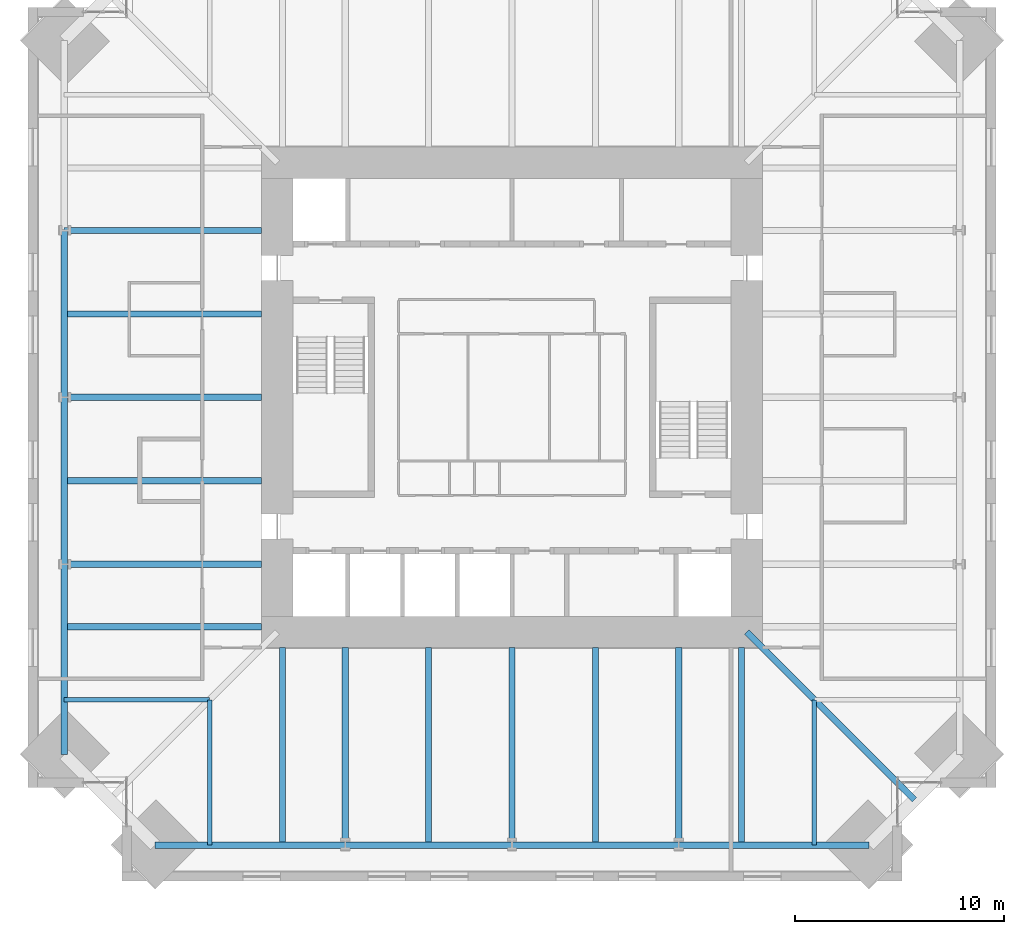
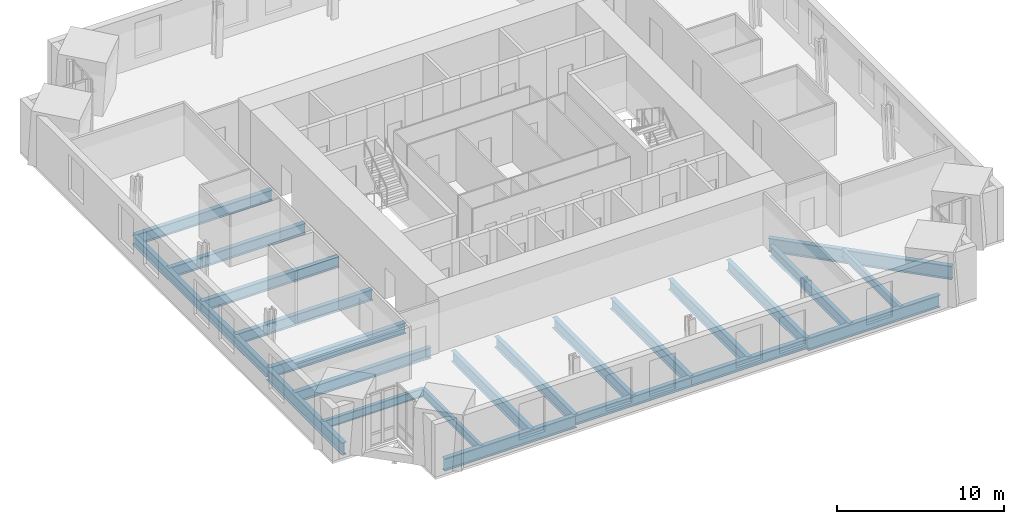
# One storey, part 3 of 15: 24 beams.
"""IFC4 building model written with IfcOpenShell, lengths in metres."""

from ifc_helpers import new_model, si_unit, direction, frame, origin, origin_2d, place, context, subcontext, project, spatial, i_section, extrude, material, material_profile, profile_set, type_object, element, save


model = new_model("IFC4")

# Units and contexts
model_context = context("Model", 3, precision=1e-05, world=origin(), true_north=direction((0.0, 1.0)))
body_context = subcontext(model_context, "Body", "Model", "MODEL_VIEW")
ifc_project = project(units=[si_unit("LENGTHUNIT", "METRE"), si_unit("AREAUNIT", "SQUARE_METRE"), si_unit("VOLUMEUNIT", "CUBIC_METRE"), si_unit("PLANEANGLEUNIT", "RADIAN"), si_unit("MASSUNIT", "GRAM", prefix="KILO")], contexts=[model_context])

# Site, building, storey
site_placement = place(None, origin())
site = spatial("IfcSite", under=ifc_project, at=site_placement, CompositionType="ELEMENT")
building_placement = place(site_placement, origin())
building = spatial("IfcBuilding", under=site, at=building_placement, Name="Peilmerk Tower", CompositionType="ELEMENT")
storey_placement = place(building_placement, frame((0.0, 0.0, 233.800048828125)))
storey = spatial("IfcBuildingStorey", under=building, at=storey_placement, Name="L51", CompositionType="ELEMENT", Elevation=233.800048828125)

# Beams
ifc_material = material(Name="Steel S355", Category="steel")
ifc_material_profile_1 = material_profile(ifc_material, i_section(OverallWidth=0.219970703125, OverallDepth=0.60009765625, WebThickness=0.011962890625, FlangeThickness=0.01904296875, at=origin_2d()), Name="IPE 600")
ifc_profile_set_1 = profile_set([ifc_material_profile_1], Name="Steel S355")
beam_type_1 = type_object("IfcBeamType", Name="B10 IPE 600 floor beam", PredefinedType="BEAM", material=ifc_profile_set_1)
for number, where, z_axis, x_axis, name in (
    (1, (14.5, -14.5, -0.469970703125), (0.0, -1.0, 0.0), (1.0, 0.0, 0.0), "Floor beam L51"),
    (2, (-14.5, -14.5, -0.469970703125), (0.0, -1.0, 0.0), (1.0, 0.0, 0.0), "Floor beam L51"),
    (3, (-14.5, -14.5, -0.469970703125), (-1.0, 0.0, 0.0), (0.0, -1.0, 0.0), "Floor beam L51"),
):
    element("IfcBeam", number, at=place(storey_placement, frame(where, z_axis=z_axis, x_axis=x_axis)), inside=storey, type_object=beam_type_1, Name=name, PredefinedType="BEAM", context=body_context, shape_type="SweptSolid", body=[
        extrude(i_section(OverallWidth=0.219970703125, OverallDepth=0.60009765625, WebThickness=0.011962890625, FlangeThickness=0.01904296875, at=origin_2d()), origin(), (0.0, 0.0, 1.0), 6.96923828125),
    ])
ifc_material_profile_2 = material_profile(ifc_material, i_section(OverallWidth=0.300048828125, OverallDepth=0.989990234375, WebThickness=0.0166015625, FlangeThickness=0.031005859375, at=origin_2d()), Name="HEA 1000")
ifc_profile_set_2 = profile_set([ifc_material_profile_2], Name="Steel S355")
beam_type_2 = type_object("IfcBeamType", Name="B14 HEA 1000 floor girder", PredefinedType="BEAM", material=ifc_profile_set_2)
beam_placement = place(storey_placement, frame((11.25, -11.25, -0.6650390625), z_axis=(0.707106781187, -0.707106781187, 0.0), x_axis=(0.707106781187, 0.707106781187, 0.0)))
element("IfcBeam", 4, at=beam_placement, inside=storey, type_object=beam_type_2, Name="Corner girder L51", PredefinedType="BEAM", context=body_context, shape_type="SweptSolid", body=[
    extrude(i_section(OverallWidth=0.300048828125, OverallDepth=0.989990234375, WebThickness=0.0166015625, FlangeThickness=0.031005859375, at=origin_2d()), origin(), (0.0, 0.0, 1.0), 11.37646484375),
])
ifc_material_profile_3 = material_profile(ifc_material, i_section(OverallWidth=0.302001953125, OverallDepth=0.909912109375, WebThickness=0.02099609375, FlangeThickness=0.0400390625, at=origin_2d()), Name="HEM 900")
ifc_profile_set_3 = profile_set([ifc_material_profile_3], Name="Steel S355")
beam_type_3 = type_object("IfcBeamType", Name="B2 HEM 900 edge beam", PredefinedType="SPANDREL", material=ifc_profile_set_3)
for number, where, z_axis, x_axis, name in (
    (5, (-17.119384765625, -21.46923828125, -0.625), (1.0, 0.0, 0.0), (0.0, 1.0, 0.0), "Edge beam L51"),
    (6, (8.0, -21.46923828125, -0.625), (1.0, 0.0, 0.0), (0.0, 1.0, 0.0), "Edge beam L51"),
    (7, (-21.46923828125, -8.0, -0.625), (0.0, -1.0, 0.0), (1.0, 0.0, 0.0), "Edge beam L51"),
):
    element("IfcBeam", number, at=place(storey_placement, frame(where, z_axis=z_axis, x_axis=x_axis)), inside=storey, type_object=beam_type_3, Name=name, PredefinedType="SPANDREL", context=body_context, shape_type="SweptSolid", body=[
        extrude(i_section(OverallWidth=0.302001953125, OverallDepth=0.909912109375, WebThickness=0.02099609375, FlangeThickness=0.0400390625, at=origin_2d()), origin(), (0.0, 0.0, 1.0), 9.119384765625),
    ])
ifc_material_profile_4 = material_profile(ifc_material, i_section(OverallWidth=0.300048828125, OverallDepth=0.7900390625, WebThickness=0.014892578125, FlangeThickness=0.028076171875, at=origin_2d()), Name="HEA 800")
ifc_profile_set_4 = profile_set([ifc_material_profile_4], Name="Steel S355")
beam_type_4 = type_object("IfcBeamType", Name="B3 HEA 800 floor beam", PredefinedType="BEAM", material=ifc_profile_set_4)
for number, where, z_axis, x_axis, name in (
    (8, (-11.0, -12.0, -0.56494140625), (0.0, -1.0, 0.0), (1.0, 0.0, 0.0), "Floor beam L51"),
    (9, (-8.0, -12.0, -0.56494140625), (0.0, -1.0, 0.0), (1.0, 0.0, 0.0), "Floor beam L51"),
    (10, (-4.0, -12.0, -0.56494140625), (0.0, -1.0, 0.0), (1.0, 0.0, 0.0), "Floor beam L51"),
    (11, (0.0, -12.0, -0.56494140625), (0.0, -1.0, 0.0), (1.0, 0.0, 0.0), "Floor beam L51"),
    (12, (4.0, -12.0, -0.56494140625), (0.0, -1.0, 0.0), (1.0, 0.0, 0.0), "Floor beam L51"),
    (13, (8.0, -12.0, -0.56494140625), (0.0, -1.0, 0.0), (1.0, 0.0, 0.0), "Floor beam L51"),
    (14, (11.0, -12.0, -0.56494140625), (0.0, -1.0, 0.0), (1.0, 0.0, 0.0), "Floor beam L51"),
    (15, (-12.0, 8.0, -0.56494140625), (-1.0, 0.0, 0.0), (0.0, -1.0, 0.0), "Floor beam L51"),
    (16, (-12.0, 4.0, -0.56494140625), (-1.0, 0.0, 0.0), (0.0, -1.0, 0.0), "Floor beam L51"),
    (17, (-12.0, 0.0, -0.56494140625), (-1.0, 0.0, 0.0), (0.0, -1.0, 0.0), "Floor beam L51"),
    (18, (-12.0, -4.0, -0.56494140625), (-1.0, 0.0, 0.0), (0.0, -1.0, 0.0), "Floor beam L51"),
    (19, (-12.0, -8.0, -0.56494140625), (-1.0, 0.0, 0.0), (0.0, -1.0, 0.0), "Floor beam L51"),
    (20, (-12.0, -11.0, -0.56494140625), (-1.0, 0.0, 0.0), (0.0, -1.0, 0.0), "Floor beam L51"),
):
    element("IfcBeam", number, at=place(storey_placement, frame(where, z_axis=z_axis, x_axis=x_axis)), inside=storey, type_object=beam_type_4, Name=name, PredefinedType="BEAM", context=body_context, shape_type="SweptSolid", body=[
        extrude(i_section(OverallWidth=0.300048828125, OverallDepth=0.7900390625, WebThickness=0.014892578125, FlangeThickness=0.028076171875, at=origin_2d()), origin(), (0.0, 0.0, 1.0), 9.46923828125),
    ])
ifc_material_profile_5 = material_profile(ifc_material, i_section(OverallWidth=0.303955078125, OverallDepth=0.716064453125, WebThickness=0.02099609375, FlangeThickness=0.0400390625, at=origin_2d()), Name="HEM 700")
ifc_profile_set_5 = profile_set([ifc_material_profile_5], Name="Steel S355")
beam_type_5 = type_object("IfcBeamType", Name="B30 HEM 700 edge beam", PredefinedType="SPANDREL", material=ifc_profile_set_5)
for number, where, z_axis, x_axis, name in (
    (21, (-8.0, -21.46923828125, -0.528076171875), (1.0, 0.0, 0.0), (0.0, 1.0, 0.0), "Edge beam L51"),
    (22, (0.0, -21.46923828125, -0.528076171875), (1.0, 0.0, 0.0), (0.0, 1.0, 0.0), "Edge beam L51"),
    (23, (-21.46923828125, 8.0, -0.528076171875), (0.0, -1.0, 0.0), (1.0, 0.0, 0.0), "Edge beam L51"),
    (24, (-21.46923828125, 0.0, -0.528076171875), (0.0, -1.0, 0.0), (1.0, 0.0, 0.0), "Edge beam L51"),
):
    element("IfcBeam", number, at=place(storey_placement, frame(where, z_axis=z_axis, x_axis=x_axis)), inside=storey, type_object=beam_type_5, Name=name, PredefinedType="SPANDREL", context=body_context, shape_type="SweptSolid", body=[
        extrude(i_section(OverallWidth=0.303955078125, OverallDepth=0.716064453125, WebThickness=0.02099609375, FlangeThickness=0.0400390625, at=origin_2d()), origin(), (0.0, 0.0, 1.0), 8.0),
    ])

save(model, "model.ifc")
